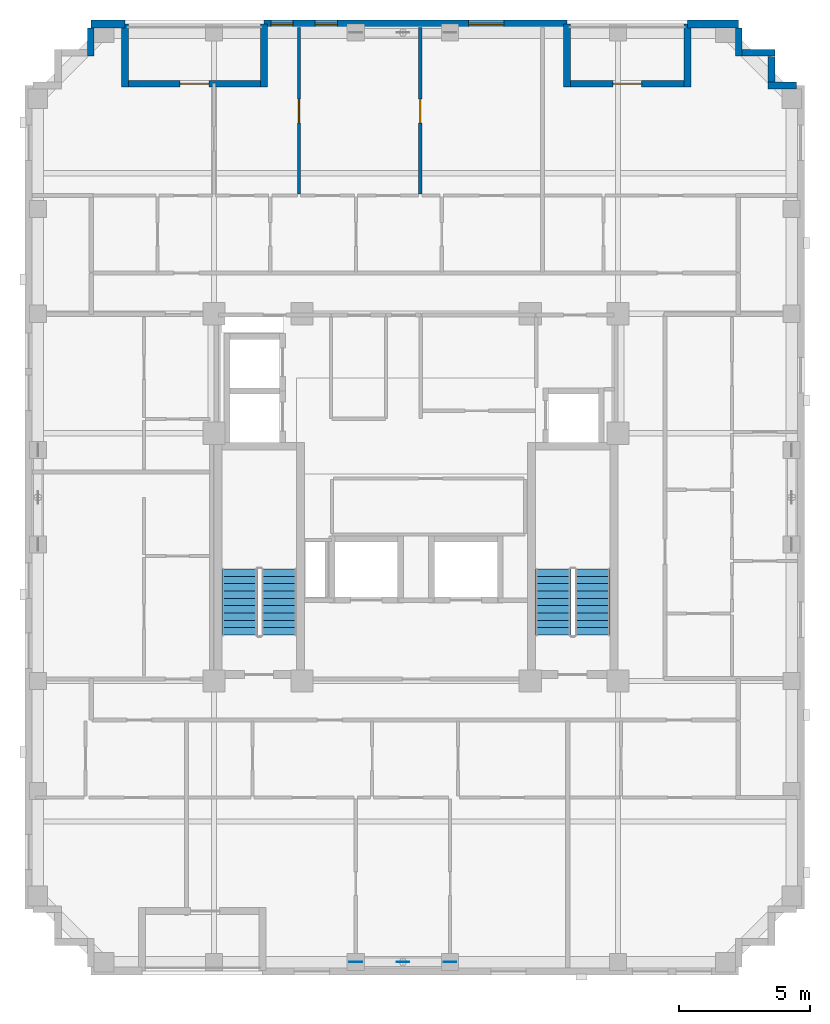
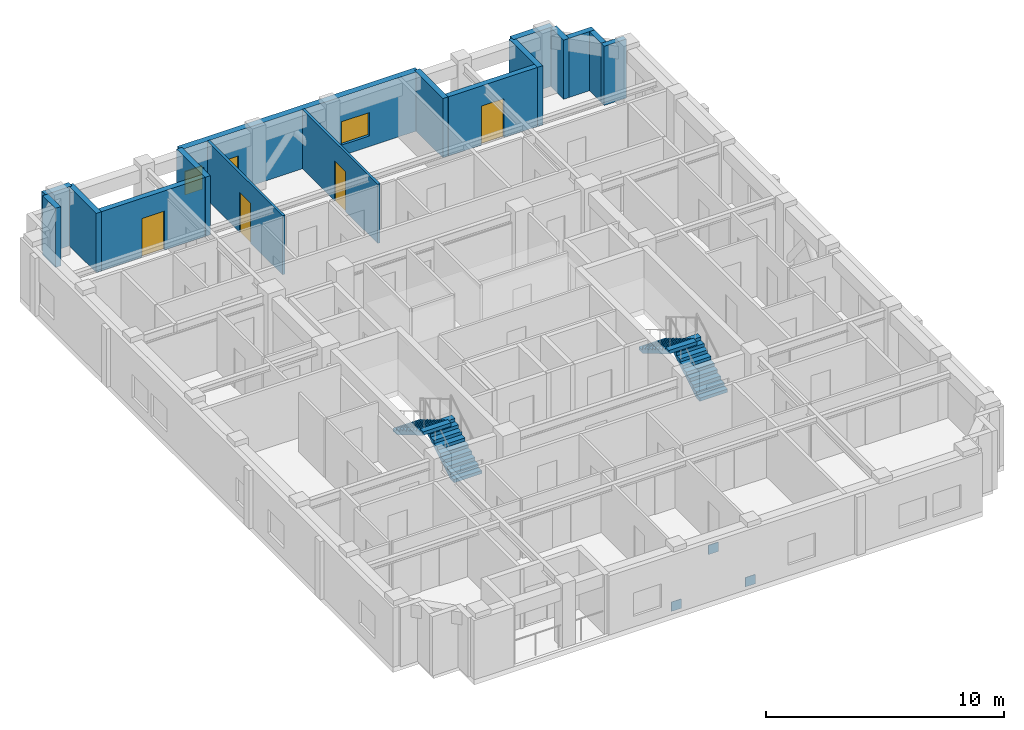
# One storey, part 7 of 10: 16 walls, 4 doors, 4 stair flights, 3 discrete accessories, 3 windows, 7 openings, 2 elements without a shape of their own.
"""IFC4 building model written with IfcOpenShell, lengths in metres."""

from ifc_helpers import new_model, si_unit, derived_unit, direction, frame, frame_2d, origin, origin_2d, place, context, subcontext, project, spatial, polyline, rectangle, outline, extrude, material, layer, layer_set, type_object, element, fill, aggregate, save


model = new_model("IFC4")

# Units and contexts
model_context = context("Model", 3, precision=1e-05, world=origin(), true_north=direction((0.0, 1.0)))
body_context = subcontext(model_context, "Body", "Model", "MODEL_VIEW")
ifc_project = project(units=[si_unit("LENGTHUNIT", "METRE"), si_unit("AREAUNIT", "SQUARE_METRE"), si_unit("VOLUMEUNIT", "CUBIC_METRE"), si_unit("PLANEANGLEUNIT", "RADIAN"), si_unit("MASSUNIT", "GRAM", prefix="KILO"), derived_unit("THERMALTRANSMITTANCEUNIT", [(si_unit("MASSUNIT", "GRAM", prefix="KILO"), 1), (si_unit("TIMEUNIT", "SECOND"), -3), (si_unit("THERMODYNAMICTEMPERATUREUNIT", "KELVIN"), -1)])], contexts=[model_context])

# Site, building, storey
site_placement = place(None, origin())
site = spatial("IfcSite", under=ifc_project, at=site_placement, CompositionType="ELEMENT")
building_placement = place(site_placement, origin())
building = spatial("IfcBuilding", under=site, at=building_placement, Name="Korrvale Station Residences", CompositionType="ELEMENT")
storey_placement = place(building_placement, frame((0.0, 0.0, 207.39990234375)))
storey = spatial("IfcBuildingStorey", under=building, at=storey_placement, Name="L60", CompositionType="ELEMENT", Elevation=207.39990234375)

# Wall
ifc_material_1 = material(Name="Precast concrete C45/55", Category="concrete")
ifc_layer_1 = layer(ifc_material_1, 0.260009765625, Name="Precast concrete C45/55")
ifc_layer_set_1 = layer_set([ifc_layer_1], Name="Precast concrete C45/55")
wall_type_1 = type_object("IfcWallType", Name="WAL-EXT-LOG260", PredefinedType="SOLIDWALL", material=ifc_layer_set_1)
wall_1_placement = place(storey_placement, frame((14.39990234375, 40.0400390625, 0.0), z_axis=(0.0, 0.0, 1.0), x_axis=(0.0, -1.0, 0.0)))
element("IfcWall", 1, at=wall_1_placement, inside=storey, type_object=wall_type_1, Name="L60 Recessed Loggia Wall BAL-L60-N2-L", PredefinedType="SOLIDWALL", context=body_context, shape_type="SweptSolid", body=[
    extrude(rectangle(XDim=2.400146484375, YDim=0.260009765625, at=frame_2d((1.2001953125, 0.0))), origin(), (0.0, 0.0, 1.0), 3.0400390625),
])

# Wall, opening, door
wall_2_placement = place(storey_placement, frame((14.533935546875, 37.77001953125, 0.0), z_axis=(0.0, 0.0, 1.0), x_axis=(1.0, 0.0, 0.0)))
wall_2 = element("IfcWall", 2, at=wall_2_placement, inside=storey, type_object=wall_type_1, Name="L60 Recessed Loggia Wall BAL-L60-N2-B", PredefinedType="SOLIDWALL", context=body_context, shape_type="SweptSolid", body=[
    extrude(rectangle(XDim=5.031982421875, YDim=0.260009765625, at=frame_2d((2.51611328125, 0.0))), origin(), (0.0, 0.0, 1.0), 3.0400390625),
])
opening_1_placement = place(wall_2_placement, frame((1.966064453125, 0.0, 0.0)))
opening_1 = element("IfcOpeningElement", 3, at=opening_1_placement, cuts=wall_2, Name="Opening BD-01", PredefinedType="OPENING", context=body_context, shape_type="SweptSolid", body=[
    extrude(rectangle(XDim=1.10009765625, YDim=2.0, at=frame_2d((0.550048828125, 1.0))), frame((0.0, 0.14013671875, 0.0), z_axis=(0.0, -1.0, 0.0), x_axis=(1.0, 0.0, 0.0)), (0.0, 0.0, 1.0), 0.280029296875),
])
ifc_material_2 = material(Name="Exterior thermally broken aluminium glazed balcony door", Category="aluminium")
door_type_1 = type_object("IfcDoorType", Name="DR-EXT-BAL", OperationType="NOTDEFINED", PredefinedType="DOOR", material=ifc_material_2)
door_1_placement = place(opening_1_placement, origin())
door_1 = element("IfcDoor", 4, at=door_1_placement, inside=storey, type_object=door_type_1, Name="L60 Loggia Balcony Door BAL-L60-N2", OperationType="SINGLE_SWING_LEFT", OverallHeight=2.0, OverallWidth=1.10009765625, PredefinedType="DOOR", context=body_context, shape_type="SweptSolid", body=[
    extrude(rectangle(XDim=1.10009765625, YDim=2.0, at=frame_2d((0.550048828125, 1.0))), frame((0.0, 0.02490234375, 0.0), z_axis=(0.0, -1.0, 0.0), x_axis=(1.0, 0.0, 0.0)), (0.0, 0.0, 1.0), 0.050048828125),
])
fill(opening_1, door_1)

# Walls
for number, where, z_axis, x_axis, name in (
    (5, (19.699951171875, 37.639892578125, 0.0), (0.0, 0.0, 1.0), (0.0, 1.0, 0.0), "L60 Recessed Loggia Wall BAL-L60-N2-R"),
    (6, (31.25, 40.0400390625, 0.0), (0.0, 0.0, 1.0), (0.0, -1.0, 0.0), "L60 Recessed Loggia Wall BAL-L60-N1-L"),
):
    element("IfcWall", number, at=place(storey_placement, frame(where, z_axis=z_axis, x_axis=x_axis)), inside=storey, type_object=wall_type_1, Name=name, PredefinedType="SOLIDWALL", context=body_context, shape_type="SweptSolid", body=[
        extrude(rectangle(XDim=2.400146484375, YDim=0.260009765625, at=frame_2d((1.2001953125, 0.0))), origin(), (0.0, 0.0, 1.0), 3.0400390625),
    ])

# Wall, opening, door
wall_3_placement = place(storey_placement, frame((31.384033203125, 37.77001953125, 0.0), z_axis=(0.0, 0.0, 1.0), x_axis=(1.0, 0.0, 0.0)))
wall_3 = element("IfcWall", 7, at=wall_3_placement, inside=storey, type_object=wall_type_1, Name="L60 Recessed Loggia Wall BAL-L60-N1-B", PredefinedType="SOLIDWALL", context=body_context, shape_type="SweptSolid", body=[
    extrude(rectangle(XDim=4.33203125, YDim=0.260009765625, at=frame_2d((2.166015625, 0.0))), origin(), (0.0, 0.0, 1.0), 3.0400390625),
])
opening_2_placement = place(wall_3_placement, frame((1.615966796875, 0.0, 0.0)))
opening_2 = element("IfcOpeningElement", 8, at=opening_2_placement, cuts=wall_3, Name="Opening BD-01", PredefinedType="OPENING", context=body_context, shape_type="SweptSolid", body=[
    extrude(rectangle(XDim=1.10009765625, YDim=2.0, at=frame_2d((0.550048828125, 1.0))), frame((0.0, 0.14013671875, 0.0), z_axis=(0.0, -1.0, 0.0), x_axis=(1.0, 0.0, 0.0)), (0.0, 0.0, 1.0), 0.280029296875),
])
door_2_placement = place(opening_2_placement, origin())
door_2 = element("IfcDoor", 9, at=door_2_placement, inside=storey, type_object=door_type_1, Name="L60 Loggia Balcony Door BAL-L60-N1", OperationType="SINGLE_SWING_RIGHT", OverallHeight=2.0, OverallWidth=1.10009765625, PredefinedType="DOOR", context=body_context, shape_type="SweptSolid", body=[
    extrude(rectangle(XDim=1.10009765625, YDim=2.0, at=frame_2d((0.550048828125, 1.0))), frame((0.0, 0.02490234375, 0.0), z_axis=(0.0, -1.0, 0.0), x_axis=(1.0, 0.0, 0.0)), (0.0, 0.0, 1.0), 0.050048828125),
])
fill(opening_2, door_2)

# Walls
wall_4_placement = place(storey_placement, frame((35.85009765625, 37.639892578125, 0.0), z_axis=(0.0, 0.0, 1.0), x_axis=(0.0, 1.0, 0.0)))
element("IfcWall", 10, at=wall_4_placement, inside=storey, type_object=wall_type_1, Name="L60 Recessed Loggia Wall BAL-L60-N1-R", PredefinedType="SOLIDWALL", context=body_context, shape_type="SweptSolid", body=[
    extrude(rectangle(XDim=2.400146484375, YDim=0.260009765625, at=frame_2d((1.2001953125, 0.0))), origin(), (0.0, 0.0, 1.0), 3.0400390625),
])
for number, where, z_axis, x_axis, name in (
    (11, (13.10009765625, 38.820068359375, 0.0), (0.0, 0.0, 1.0), (0.0, 1.0, 0.0), "L60 Serrated Corner Precast Step NW-4"),
    (12, (37.800048828125, 39.89794921875, 0.0), (0.0, 0.0, 1.0), (0.0, -1.0, 0.0), "L60 Serrated Corner Precast Step NE-1"),
):
    element("IfcWall", number, at=place(storey_placement, frame(where, z_axis=z_axis, x_axis=x_axis)), inside=storey, type_object=wall_type_1, Name=name, PredefinedType="SOLIDWALL", context=body_context, shape_type="SweptSolid", body=[
        extrude(rectangle(XDim=1.077880859375, YDim=0.260009765625, at=frame_2d((0.5390625, 0.0))), origin(), (0.0, 0.0, 1.0), 3.0400390625),
    ])
wall_5_placement = place(storey_placement, frame((37.931884765625, 38.949951171875, 0.0), z_axis=(0.0, 0.0, 1.0), x_axis=(1.0, 0.0, 0.0)))
element("IfcWall", 13, at=wall_5_placement, inside=storey, type_object=wall_type_1, Name="L60 Serrated Corner Precast Step NE-2", PredefinedType="SOLIDWALL", context=body_context, shape_type="SweptSolid", body=[
    extrude(rectangle(XDim=1.248046875, YDim=0.260009765625, at=frame_2d((0.6240234375, 0.0))), origin(), (0.0, 0.0, 1.0), 3.0400390625),
])
wall_6_placement = place(storey_placement, frame((39.050048828125, 38.818115234375, 0.0), z_axis=(0.0, 0.0, 1.0), x_axis=(0.0, -1.0, 0.0)))
element("IfcWall", 14, at=wall_6_placement, inside=storey, type_object=wall_type_1, Name="L60 Serrated Corner Precast Step NE-3", PredefinedType="SOLIDWALL", context=body_context, shape_type="SweptSolid", body=[
    extrude(rectangle(XDim=0.986083984375, YDim=0.260009765625, at=frame_2d((0.4931640625, 0.0))), origin(), (0.0, 0.0, 1.0), 3.0400390625),
])
wall_7_placement = place(storey_placement, frame((38.919921875, 37.699951171875, 0.0), z_axis=(0.0, 0.0, 1.0), x_axis=(1.0, 0.0, 0.0)))
element("IfcWall", 15, at=wall_7_placement, inside=storey, type_object=wall_type_1, Name="L60 Serrated Corner Precast Step NE-4", PredefinedType="SOLIDWALL", context=body_context, shape_type="SweptSolid", body=[
    extrude(rectangle(XDim=1.078125, YDim=0.260009765625, at=frame_2d((0.5390625, 0.0))), origin(), (0.0, 0.0, 1.0), 3.0400390625),
])
ifc_layer_2 = layer(ifc_material_1, 0.300048828125, Name="Precast concrete C45/55")
ifc_layer_set_2 = layer_set([ifc_layer_2], Name="Precast concrete C45/55")
wall_type_2 = type_object("IfcWallType", Name="WAL-EXT-PC300", PredefinedType="SOLIDWALL", material=ifc_layer_set_2)
wall_8_placement = place(storey_placement, frame((13.10009765625, 40.050048828125, 0.0), z_axis=(0.0, 0.0, 1.0), x_axis=(1.0, 0.0, 0.0)))
element("IfcWall", 16, at=wall_8_placement, inside=storey, type_object=wall_type_2, Name="L60 North Exterior Precast Wall 1", PredefinedType="SOLIDWALL", context=body_context, shape_type="SweptSolid", body=[
    extrude(rectangle(XDim=1.2998046875, YDim=0.300048828125, at=frame_2d((0.64990234375, 0.0))), origin(), (0.0, 0.0, 1.0), 3.0400390625),
])

# Wall, openings, windows
wall_9_placement = place(storey_placement, frame((19.699951171875, 40.050048828125, 0.0), z_axis=(0.0, 0.0, 1.0), x_axis=(1.0, 0.0, 0.0)))
wall_9 = element("IfcWall", 17, at=wall_9_placement, inside=storey, type_object=wall_type_2, Name="L60 North Exterior Precast Wall 2", PredefinedType="SOLIDWALL", context=body_context, shape_type="SweptSolid", body=[
    extrude(rectangle(XDim=11.550048828125, YDim=0.300048828125, at=frame_2d((5.77490234375, 0.0))), origin(), (0.0, 0.0, 1.0), 3.0400390625),
])
opening_3_placement = place(wall_9_placement, frame((0.26708984375, 0.0, 0.550048828125)))
opening_3 = element("IfcOpeningElement", 18, at=opening_3_placement, cuts=wall_9, Name="Opening W-11", PredefinedType="OPENING", context=body_context, shape_type="SweptSolid", body=[
    extrude(rectangle(XDim=0.85009765625, YDim=1.199951171875, at=frame_2d((0.425048828125, 0.60009765625))), frame((0.0, 0.16015625, 0.0), z_axis=(0.0, -1.0, 0.0), x_axis=(1.0, 0.0, 0.0)), (0.0, 0.0, 1.0), 0.320068359375),
])
opening_4_placement = place(wall_9_placement, frame((1.949951171875, 0.0, 0.550048828125)))
opening_4 = element("IfcOpeningElement", 19, at=opening_4_placement, cuts=wall_9, Name="Opening W-11", PredefinedType="OPENING", context=body_context, shape_type="SweptSolid", body=[
    extrude(rectangle(XDim=0.85009765625, YDim=1.199951171875, at=frame_2d((0.425048828125, 0.60009765625))), frame((0.0, 0.16015625, 0.0), z_axis=(0.0, -1.0, 0.0), x_axis=(1.0, 0.0, 0.0)), (0.0, 0.0, 1.0), 0.320068359375),
])
opening_5_placement = place(wall_9_placement, frame((7.800048828125, 0.0, 0.550048828125)))
opening_5 = element("IfcOpeningElement", 20, at=opening_5_placement, cuts=wall_9, Name="Opening W-10", PredefinedType="OPENING", context=body_context, shape_type="SweptSolid", body=[
    extrude(rectangle(XDim=1.35009765625, YDim=1.199951171875, at=frame_2d((0.675048828125, 0.60009765625))), frame((0.0, 0.16015625, 0.0), z_axis=(0.0, -1.0, 0.0), x_axis=(1.0, 0.0, 0.0)), (0.0, 0.0, 1.0), 0.320068359375),
])
ifc_material_3 = material(Name="Thermally broken aluminium frame with triple low-e glazing", Category="aluminium")
window_type_1 = type_object("IfcWindowType", Name="WIN-W10", PartitioningType="SINGLE_PANEL", PredefinedType="WINDOW", material=ifc_material_3)
window_1_placement = place(opening_5_placement, origin())
window_1 = element("IfcWindow", 21, at=window_1_placement, inside=storey, type_object=window_type_1, Name="L60 Punched Window 09", OverallHeight=1.199951171875, OverallWidth=1.35009765625, PartitioningType="SINGLE_PANEL", PredefinedType="WINDOW", context=body_context, shape_type="SweptSolid", body=[
    extrude(rectangle(XDim=1.35009765625, YDim=1.199951171875, at=frame_2d((0.675048828125, 0.60009765625))), frame((0.0, 0.030029296875, 0.0), z_axis=(0.0, -1.0, 0.0), x_axis=(1.0, 0.0, 0.0)), (0.0, 0.0, 1.0), 0.06005859375),
])
fill(opening_5, window_1)
window_type_2 = type_object("IfcWindowType", Name="WIN-W11", PartitioningType="SINGLE_PANEL", PredefinedType="WINDOW", material=ifc_material_3)
window_2_placement = place(opening_3_placement, origin())
window_2 = element("IfcWindow", 22, at=window_2_placement, inside=storey, type_object=window_type_2, Name="L60 Punched Window 07", OverallHeight=1.199951171875, OverallWidth=0.85009765625, PartitioningType="SINGLE_PANEL", PredefinedType="WINDOW", context=body_context, shape_type="SweptSolid", body=[
    extrude(rectangle(XDim=0.85009765625, YDim=1.199951171875, at=frame_2d((0.425048828125, 0.60009765625))), frame((0.0, 0.030029296875, 0.0), z_axis=(0.0, -1.0, 0.0), x_axis=(1.0, 0.0, 0.0)), (0.0, 0.0, 1.0), 0.06005859375),
])
fill(opening_3, window_2)
window_3_placement = place(opening_4_placement, origin())
window_3 = element("IfcWindow", 23, at=window_3_placement, inside=storey, type_object=window_type_2, Name="L60 Punched Window 08", OverallHeight=1.199951171875, OverallWidth=0.85009765625, PartitioningType="SINGLE_PANEL", PredefinedType="WINDOW", context=body_context, shape_type="SweptSolid", body=[
    extrude(rectangle(XDim=0.85009765625, YDim=1.199951171875, at=frame_2d((0.425048828125, 0.60009765625))), frame((0.0, 0.030029296875, 0.0), z_axis=(0.0, -1.0, 0.0), x_axis=(1.0, 0.0, 0.0)), (0.0, 0.0, 1.0), 0.06005859375),
])
fill(opening_4, window_3)

# Wall
wall_10_placement = place(storey_placement, frame((35.85009765625, 40.050048828125, 0.0), z_axis=(0.0, 0.0, 1.0), x_axis=(1.0, 0.0, 0.0)))
element("IfcWall", 24, at=wall_10_placement, inside=storey, type_object=wall_type_2, Name="L60 North Exterior Precast Wall 3", PredefinedType="SOLIDWALL", context=body_context, shape_type="SweptSolid", body=[
    extrude(rectangle(XDim=1.949951171875, YDim=0.300048828125, at=frame_2d((0.97509765625, 0.0))), origin(), (0.0, 0.0, 1.0), 3.0400390625),
])

# Wall, opening, door
ifc_material_4 = material(Name="Acoustic steel-stud gypsum board partition", Category="steel")
ifc_layer_3 = layer(ifc_material_4, 0.1201171875, Name="Acoustic steel-stud gypsum board partition")
ifc_layer_set_3 = layer_set([ifc_layer_3], Name="Acoustic steel-stud gypsum board partition")
wall_type_3 = type_object("IfcWallType", Name="WAL-PART-125", PredefinedType="PARTITIONING", material=ifc_layer_set_3)
wall_11_placement = place(storey_placement, frame((21.037109375, 33.570068359375, 0.0), z_axis=(0.0, 0.0, 1.0), x_axis=(0.0, 1.0, 0.0)))
wall_11 = element("IfcWall", 25, at=wall_11_placement, inside=storey, type_object=wall_type_3, Name="L60 Suite Partition U04-V67", PredefinedType="PARTITIONING", context=body_context, shape_type="SweptSolid", body=[
    extrude(rectangle(XDim=6.349853515625, YDim=0.1201171875, at=frame_2d((3.1748046875, 0.0))), origin(), (0.0, 0.0, 1.0), 3.0400390625),
])
opening_6_placement = place(wall_11_placement, frame((2.7099609375, 0.0, 0.0)))
opening_6 = element("IfcOpeningElement", 26, at=opening_6_placement, cuts=wall_11, Name="Opening DI-900", PredefinedType="OPENING", context=body_context, shape_type="SweptSolid", body=[
    extrude(rectangle(XDim=0.89990234375, YDim=2.050048828125, at=frame_2d((0.449951171875, 1.02490234375))), frame((0.0, 0.070068359375, 0.0), z_axis=(0.0, -1.0, 0.0), x_axis=(1.0, 0.0, 0.0)), (0.0, 0.0, 1.0), 0.14013671875),
])
ifc_material_5 = material(Name="Painted solid-core timber interior room door", Category="wood")
door_type_2 = type_object("IfcDoorType", Name="DR-INT-900", OperationType="NOTDEFINED", PredefinedType="DOOR", material=ifc_material_5)
door_3_placement = place(opening_6_placement, origin())
door_3 = element("IfcDoor", 27, at=door_3_placement, inside=storey, type_object=door_type_2, Name="L60 Apartment 2BR L60-U04 Formal Dining Room Door", OperationType="SINGLE_SWING_LEFT", OverallHeight=2.050048828125, OverallWidth=0.89990234375, PredefinedType="DOOR", context=body_context, shape_type="SweptSolid", body=[
    extrude(rectangle(XDim=0.89990234375, YDim=2.050048828125, at=frame_2d((0.449951171875, 1.02490234375))), frame((0.0, 0.02490234375, 0.0), z_axis=(0.0, -1.0, 0.0), x_axis=(1.0, 0.0, 0.0)), (0.0, 0.0, 1.0), 0.050048828125),
])
fill(opening_6, door_3)

wall_12_placement = place(storey_placement, frame((25.656982421875, 33.570068359375, 0.0), z_axis=(0.0, 0.0, 1.0), x_axis=(0.0, 1.0, 0.0)))
wall_12 = element("IfcWall", 28, at=wall_12_placement, inside=storey, type_object=wall_type_3, Name="L60 Suite Partition U04-V78", PredefinedType="PARTITIONING", context=body_context, shape_type="SweptSolid", body=[
    extrude(rectangle(XDim=6.349853515625, YDim=0.1201171875, at=frame_2d((3.1748046875, 0.0))), origin(), (0.0, 0.0, 1.0), 3.0400390625),
])
opening_7_placement = place(wall_12_placement, frame((2.7099609375, 0.0, 0.0)))
opening_7 = element("IfcOpeningElement", 29, at=opening_7_placement, cuts=wall_12, Name="Opening DI-900", PredefinedType="OPENING", context=body_context, shape_type="SweptSolid", body=[
    extrude(rectangle(XDim=0.89990234375, YDim=2.050048828125, at=frame_2d((0.449951171875, 1.02490234375))), frame((0.0, 0.070068359375, 0.0), z_axis=(0.0, -1.0, 0.0), x_axis=(1.0, 0.0, 0.0)), (0.0, 0.0, 1.0), 0.14013671875),
])
door_4_placement = place(opening_7_placement, origin())
door_4 = element("IfcDoor", 30, at=door_4_placement, inside=storey, type_object=door_type_2, Name="L60 Apartment 2BR L60-U04 Bedroom 1 Door", OperationType="SINGLE_SWING_RIGHT", OverallHeight=2.050048828125, OverallWidth=0.89990234375, PredefinedType="DOOR", context=body_context, shape_type="SweptSolid", body=[
    extrude(rectangle(XDim=0.89990234375, YDim=2.050048828125, at=frame_2d((0.449951171875, 1.02490234375))), frame((0.0, 0.02490234375, 0.0), z_axis=(0.0, -1.0, 0.0), x_axis=(1.0, 0.0, 0.0)), (0.0, 0.0, 1.0), 0.050048828125),
])
fill(opening_7, door_4)

# Stair, stair flights
ifc_material_6 = material(Name="Concrete C50/60", Category="concrete")
stair_type = type_object("IfcStairType", Name="STR-DL-1350-20R-1650", PredefinedType="HALF_TURN_STAIR", material=ifc_material_6)
stair_1_placement = place(storey_placement, origin())
stair_1 = element("IfcStair", 31, at=stair_1_placement, inside=storey, type_object=stair_type, Name="L60 Exit Stair 1", PredefinedType="HALF_TURN_STAIR")
stair_flight_type = type_object("IfcStairFlightType", Name="FLT-DL-1350-20R-1650", PredefinedType="STRAIGHT", material=ifc_material_6)
stair_flight_1_placement = place(storey_placement, frame((20.27490234375, 16.75, 0.0), z_axis=(0.0, 0.0, 1.0), x_axis=(0.0, 1.0, 0.0)))
stair_flight_1 = element("IfcStairFlight", 32, at=stair_flight_1_placement, type_object=stair_flight_type, Name="ST-1 flight 1", NumberOfRisers=10, NumberOfTreads=9, PredefinedType="STRAIGHT", RiserHeight=0.165, TreadLength=0.28, context=body_context, shape_type="SweptSolid", body=[
    extrude(outline(polyline([(0.0, 0.0), (0.0, 0.1650390625), (0.280029296875, 0.1650390625), (0.280029296875, 0.330078125), (0.56005859375, 0.330078125), (0.56005859375, 0.4951171875), (0.840087890625, 0.4951171875), (0.840087890625, 0.659912109375), (1.1201171875, 0.659912109375), (1.1201171875, 0.824951171875), (1.39990234375, 0.824951171875), (1.39990234375, 0.989990234375), (1.679931640625, 0.989990234375), (1.679931640625, 1.155029296875), (1.9599609375, 1.155029296875), (1.9599609375, 1.320068359375), (2.239990234375, 1.320068359375), (2.239990234375, 1.485107421875), (2.52001953125, 1.485107421875), (2.52001953125, 1.64990234375), (2.52001953125, 1.31103515625), (0.295166015625, 0.0), (0.0, 0.0)])), frame((0.0, 0.675048828125, 0.0), z_axis=(0.0, -1.0, 0.0), x_axis=(1.0, 0.0, 0.0)), (0.0, 0.0, 1.0), 1.35009765625),
])
stair_flight_2_placement = place(storey_placement, frame((18.77490234375, 19.27001953125, 1.650146484375), z_axis=(0.0, 0.0, 1.0), x_axis=(0.0, -1.0, 0.0)))
stair_flight_2 = element("IfcStairFlight", 33, at=stair_flight_2_placement, type_object=stair_flight_type, Name="ST-1 flight 2", NumberOfRisers=10, NumberOfTreads=9, PredefinedType="STRAIGHT", RiserHeight=0.165, TreadLength=0.28, context=body_context, shape_type="SweptSolid", body=[
    extrude(outline(polyline([(0.0, 0.0), (0.0, 0.1650390625), (0.280029296875, 0.1650390625), (0.280029296875, 0.330078125), (0.56005859375, 0.330078125), (0.56005859375, 0.4951171875), (0.840087890625, 0.4951171875), (0.840087890625, 0.659912109375), (1.1201171875, 0.659912109375), (1.1201171875, 0.824951171875), (1.39990234375, 0.824951171875), (1.39990234375, 0.989990234375), (1.679931640625, 0.989990234375), (1.679931640625, 1.155029296875), (1.9599609375, 1.155029296875), (1.9599609375, 1.320068359375), (2.239990234375, 1.320068359375), (2.239990234375, 1.485107421875), (2.52001953125, 1.485107421875), (2.52001953125, 1.64990234375), (2.52001953125, 1.31103515625), (0.295166015625, 0.0), (0.0, 0.0)])), frame((0.0, 0.675048828125, 0.0), z_axis=(0.0, -1.0, 0.0), x_axis=(1.0, 0.0, 0.0)), (0.0, 0.0, 1.0), 1.35009765625),
])
aggregate(stair_1, [stair_flight_1, stair_flight_2])

stair_2_placement = place(storey_placement, origin())
stair_2 = element("IfcStair", 34, at=stair_2_placement, inside=storey, type_object=stair_type, Name="L60 Exit Stair 2", PredefinedType="HALF_TURN_STAIR")
stair_flight_3_placement = place(storey_placement, frame((32.22509765625, 16.75, 0.0), z_axis=(0.0, 0.0, 1.0), x_axis=(0.0, 1.0, 0.0)))
stair_flight_3 = element("IfcStairFlight", 35, at=stair_flight_3_placement, type_object=stair_flight_type, Name="ST-2 flight 1", NumberOfRisers=10, NumberOfTreads=9, PredefinedType="STRAIGHT", RiserHeight=0.165, TreadLength=0.28, context=body_context, shape_type="SweptSolid", body=[
    extrude(outline(polyline([(0.0, 0.0), (0.0, 0.1650390625), (0.280029296875, 0.1650390625), (0.280029296875, 0.330078125), (0.56005859375, 0.330078125), (0.56005859375, 0.4951171875), (0.840087890625, 0.4951171875), (0.840087890625, 0.659912109375), (1.1201171875, 0.659912109375), (1.1201171875, 0.824951171875), (1.39990234375, 0.824951171875), (1.39990234375, 0.989990234375), (1.679931640625, 0.989990234375), (1.679931640625, 1.155029296875), (1.9599609375, 1.155029296875), (1.9599609375, 1.320068359375), (2.239990234375, 1.320068359375), (2.239990234375, 1.485107421875), (2.52001953125, 1.485107421875), (2.52001953125, 1.64990234375), (2.52001953125, 1.31103515625), (0.295166015625, 0.0), (0.0, 0.0)])), frame((0.0, 0.675048828125, 0.0), z_axis=(0.0, -1.0, 0.0), x_axis=(1.0, 0.0, 0.0)), (0.0, 0.0, 1.0), 1.35009765625),
])
stair_flight_4_placement = place(storey_placement, frame((30.72509765625, 19.27001953125, 1.650146484375), z_axis=(0.0, 0.0, 1.0), x_axis=(0.0, -1.0, 0.0)))
stair_flight_4 = element("IfcStairFlight", 36, at=stair_flight_4_placement, type_object=stair_flight_type, Name="ST-2 flight 2", NumberOfRisers=10, NumberOfTreads=9, PredefinedType="STRAIGHT", RiserHeight=0.165, TreadLength=0.28, context=body_context, shape_type="SweptSolid", body=[
    extrude(outline(polyline([(0.0, 0.0), (0.0, 0.1650390625), (0.280029296875, 0.1650390625), (0.280029296875, 0.330078125), (0.56005859375, 0.330078125), (0.56005859375, 0.4951171875), (0.840087890625, 0.4951171875), (0.840087890625, 0.659912109375), (1.1201171875, 0.659912109375), (1.1201171875, 0.824951171875), (1.39990234375, 0.824951171875), (1.39990234375, 0.989990234375), (1.679931640625, 0.989990234375), (1.679931640625, 1.155029296875), (1.9599609375, 1.155029296875), (1.9599609375, 1.320068359375), (2.239990234375, 1.320068359375), (2.239990234375, 1.485107421875), (2.52001953125, 1.485107421875), (2.52001953125, 1.64990234375), (2.52001953125, 1.31103515625), (0.295166015625, 0.0), (0.0, 0.0)])), frame((0.0, 0.675048828125, 0.0), z_axis=(0.0, -1.0, 0.0), x_axis=(1.0, 0.0, 0.0)), (0.0, 0.0, 1.0), 1.35009765625),
])
aggregate(stair_2, [stair_flight_3, stair_flight_4])

# Discrete accessories
ifc_material_7 = material(Name="Steel S355", Category="steel")
ifc_layer_4 = layer(ifc_material_7, 0.02490234375, Name="Steel S355")
ifc_layer_set_4 = layer_set([ifc_layer_4], Name="Steel S355")
discrete_accessory_type = type_object("IfcDiscreteAccessoryType", Name="ACC-GUSSET-25", PredefinedType="BRACKET", material=ifc_layer_set_4)
for number, where, z_axis, x_axis, name in (
    (37, (23.199951171875, 4.280029296875, -0.219970703125), (0.0, 0.0, 1.0), (1.0, 0.0, 0.0), "L60 S Brace End Gusset Connection A"),
    (38, (26.800048828125, 4.280029296875, -0.219970703125), (0.0, 0.0, 1.0), (1.0, 0.0, 0.0), "L60 S Brace End Gusset Connection B"),
    (39, (25.0, 4.280029296875, 2.070068359375), (0.0, 0.0, 1.0), (1.0, 0.0, 0.0), "L60 S Brace End Gusset Connection M"),
):
    element("IfcDiscreteAccessory", number, at=place(storey_placement, frame(where, z_axis=z_axis, x_axis=x_axis)), inside=storey, type_object=discrete_accessory_type, Name=name, PredefinedType="BRACKET", context=body_context, shape_type="SweptSolid", body=[
        extrude(rectangle(XDim=0.47998046875, YDim=0.02490234375, at=origin_2d()), origin(), (0.0, 0.0, 1.0), 0.47998046875),
    ])

save(model, "model.ifc")
